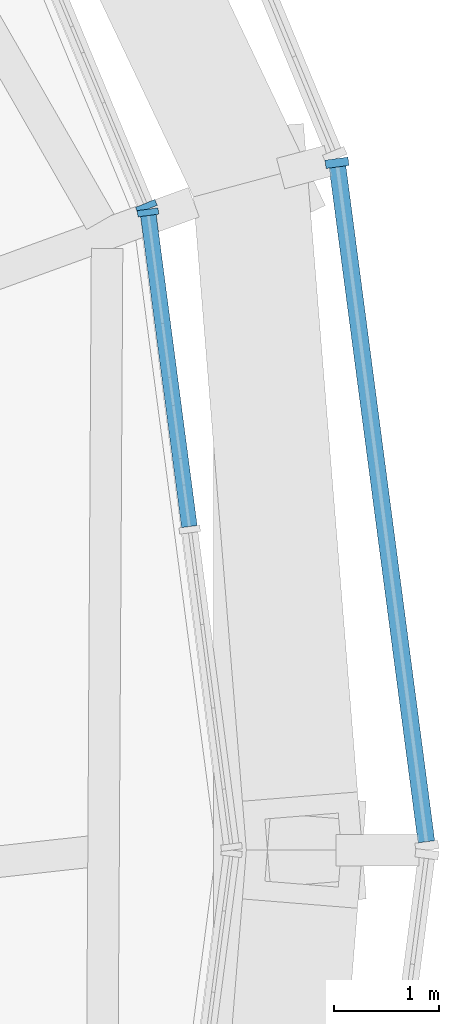
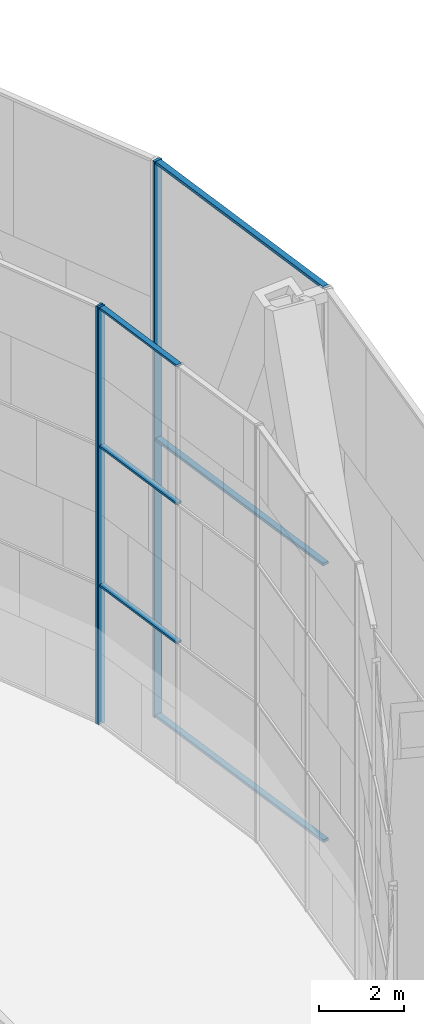
# One storey, part 6 of 26: 9 members, 3 elements without a shape of their own.
"""IFC4 building model written with IfcOpenShell, lengths in metres."""

from ifc_helpers import new_model, si_unit, direction, frame, origin, origin_2d, place, context, subcontext, project, spatial, rectangle, extrude, material, material_profile, profile_set, type_object, element, aggregate, save


model = new_model("IFC4")

# Units and contexts
model_context = context("Model", 3, precision=1e-05, world=origin(), true_north=direction((0.0, 1.0)))
body_context = subcontext(model_context, "Body", "Model", "MODEL_VIEW")
ifc_project = project(units=[si_unit("LENGTHUNIT", "METRE"), si_unit("AREAUNIT", "SQUARE_METRE"), si_unit("VOLUMEUNIT", "CUBIC_METRE"), si_unit("PLANEANGLEUNIT", "RADIAN"), si_unit("MASSUNIT", "GRAM", prefix="KILO")], contexts=[model_context])

# Site, building, storey
site_placement = place(None, origin())
site = spatial("IfcSite", under=ifc_project, at=site_placement, CompositionType="ELEMENT")
building_placement = place(site_placement, origin())
building = spatial("IfcBuilding", under=site, at=building_placement, Name="Golbaran Civic Tower", CompositionType="ELEMENT")
storey_placement = place(building_placement, frame((0.0, 0.0, 199.0)))
storey = spatial("IfcBuildingStorey", under=building, at=storey_placement, Name="L48", CompositionType="ELEMENT", Elevation=199.0)

# Curtain wall, member
ifc_material_1 = material(Name="Aluminium and glass", Category="aluminium")
curtain_wall_type_1 = type_object("IfcCurtainWallType", Name="INNER SKIN CURTAIN WALL EXECUTIVE", PredefinedType="NOTDEFINED", material=ifc_material_1)
curtain_wall_1_placement = place(storey_placement, origin())
curtain_wall_1 = element("IfcCurtainWall", 1, at=curtain_wall_1_placement, inside=storey, type_object=curtain_wall_type_1, Name="Inner skin L48 facet 1 CW2", ObjectType="INNER SKIN", PredefinedType="USERDEFINED")
ifc_material_2 = material(Name="Aluminium", Category="aluminium")
ifc_material_profile_1 = material_profile(ifc_material_2, rectangle(XDim=0.199951171875, YDim=0.06005859375, at=origin_2d()), Name="INNER SKIN CURTAIN WALL EXECUTIVE MULLION")
ifc_profile_set_1 = profile_set([ifc_material_profile_1], Name="Aluminium")
member_type_1 = type_object("IfcMemberType", Name="INNER SKIN CURTAIN WALL EXECUTIVE MULLION", PredefinedType="MULLION", material=ifc_profile_set_1)
member_1_placement = place(storey_placement, frame((22.767822265625, 6.06982421875, 0.0), z_axis=(0.0, 0.0, 1.0), x_axis=(-0.991444861372, -0.130526192237, 0.0)))
member_1 = element("IfcMember", 2, at=member_1_placement, type_object=member_type_1, Name="CW2 mullion 3", PredefinedType="MULLION", context=body_context, shape_type="SweptSolid", body=[
    extrude(rectangle(XDim=0.199951171875, YDim=0.06005859375, at=origin_2d()), origin(), (0.0, 0.0, 1.0), 12.0),
])

curtain_wall_2_placement = place(storey_placement, origin())
curtain_wall_2 = element("IfcCurtainWall", 3, at=curtain_wall_2_placement, inside=storey, type_object=curtain_wall_type_1, Name="Inner skin L48 facet 2 CW2", ObjectType="INNER SKIN", PredefinedType="USERDEFINED")
member_2_placement = place(storey_placement, frame((22.75244140625, 6.127197265625, 0.0), z_axis=(0.0, 0.0, 1.0), x_axis=(-0.923879532518, -0.382683432349, 0.0)))
member_2 = element("IfcMember", 4, at=member_2_placement, type_object=member_type_1, Name="CW2 mullion 1", PredefinedType="MULLION", context=body_context, shape_type="SweptSolid", body=[
    extrude(rectangle(XDim=0.199951171875, YDim=0.06005859375, at=origin_2d()), origin(), (0.0, 0.0, 1.0), 12.0),
])
aggregate(curtain_wall_2, [member_2])

# Member
ifc_material_profile_2 = material_profile(ifc_material_2, rectangle(XDim=0.14990234375, YDim=0.06005859375, at=origin_2d()), Name="INNER SKIN CURTAIN WALL EXECUTIVE TRANSOM")
ifc_profile_set_2 = profile_set([ifc_material_profile_2], Name="Aluminium")
member_type_2 = type_object("IfcMemberType", Name="INNER SKIN CURTAIN WALL EXECUTIVE TRANSOM", PredefinedType="USERDEFINED", material=ifc_profile_set_2)
member_3_placement = place(storey_placement, frame((23.16162109375, 3.07958984375, 4.0), z_axis=(-0.130572951568, 0.991438704267, 0.0), x_axis=(-0.991438704267, -0.130572951568, 0.0)))
member_3 = element("IfcMember", 5, at=member_3_placement, type_object=member_type_2, Name="CW2 transom 2.2", ObjectType="TRANSOM", PredefinedType="USERDEFINED", context=body_context, shape_type="SweptSolid", body=[
    extrude(rectangle(XDim=0.14990234375, YDim=0.06005859375, at=origin_2d()), origin(), (0.0, 0.0, 1.0), 2.986083984375),
])

member_4_placement = place(storey_placement, frame((23.16162109375, 3.07958984375, 8.0), z_axis=(-0.130572951568, 0.991438704267, 0.0), x_axis=(-0.991438704267, -0.130572951568, 0.0)))
member_4 = element("IfcMember", 6, at=member_4_placement, type_object=member_type_2, Name="CW2 transom 2.3", ObjectType="TRANSOM", PredefinedType="USERDEFINED", context=body_context, shape_type="SweptSolid", body=[
    extrude(rectangle(XDim=0.14990234375, YDim=0.06005859375, at=origin_2d()), origin(), (0.0, 0.0, 1.0), 2.986083984375),
])

member_5_placement = place(storey_placement, frame((23.16162109375, 3.07958984375, 11.969970703125), z_axis=(-0.130572951568, 0.991438704267, 0.0), x_axis=(-0.991438704267, -0.130572951568, 0.0)))
member_5 = element("IfcMember", 7, at=member_5_placement, type_object=member_type_2, Name="CW2 transom 2.4", ObjectType="TRANSOM", PredefinedType="USERDEFINED", context=body_context, shape_type="SweptSolid", body=[
    extrude(rectangle(XDim=0.14990234375, YDim=0.06005859375, at=origin_2d()), origin(), (0.0, 0.0, 1.0), 2.986083984375),
])

aggregate(curtain_wall_1, [member_1, member_3, member_4, member_5])

# Curtain wall, members
curtain_wall_type_2 = type_object("IfcCurtainWallType", Name="OUTER SKIN TERRACOTTA SCREEN", PredefinedType="NOTDEFINED", material=ifc_material_1)
curtain_wall_3_placement = place(storey_placement, origin())
curtain_wall_3 = element("IfcCurtainWall", 8, at=curtain_wall_3_placement, inside=storey, type_object=curtain_wall_type_2, Name="Outer skin L48 facet 1 CW3", ObjectType="OUTER SKIN", PredefinedType="USERDEFINED")
ifc_material_profile_3 = material_profile(ifc_material_2, rectangle(XDim=0.219970703125, YDim=0.080078125, at=origin_2d()), Name="OUTER SKIN TERRACOTTA SCREEN MULLION")
ifc_profile_set_3 = profile_set([ifc_material_profile_3], Name="Aluminium")
member_type_3 = type_object("IfcMemberType", Name="OUTER SKIN TERRACOTTA SCREEN MULLION", PredefinedType="MULLION", material=ifc_profile_set_3)
member_6_placement = place(storey_placement, frame((24.56689453125, 6.54150390625, -0.7099609375), z_axis=(0.0, 0.0, 1.0), x_axis=(-0.991444861376, -0.130526192203, 0.0)))
member_6 = element("IfcMember", 9, at=member_6_placement, type_object=member_type_3, Name="CW3 mullion 2", PredefinedType="MULLION", context=body_context, shape_type="SweptSolid", body=[
    extrude(rectangle(XDim=0.219970703125, YDim=0.080078125, at=origin_2d()), origin(), (0.0, 0.0, 1.0), 16.0),
])
ifc_material_profile_4 = material_profile(ifc_material_2, rectangle(XDim=0.159912109375, YDim=0.080078125, at=origin_2d()), Name="OUTER SKIN TERRACOTTA SCREEN TRANSOM")
ifc_profile_set_4 = profile_set([ifc_material_profile_4], Name="Aluminium")
member_type_4 = type_object("IfcMemberType", Name="OUTER SKIN TERRACOTTA SCREEN TRANSOM", PredefinedType="USERDEFINED", material=ifc_profile_set_4)
member_7_placement = place(storey_placement, frame((25.41748046875, 0.079345703125, -0.669921875), z_axis=(-0.130512031424, 0.991446725575, 0.0), x_axis=(-0.991446725575, -0.130512031424, 0.0)))
member_7 = element("IfcMember", 10, at=member_7_placement, type_object=member_type_4, Name="CW3 transom 1.1", ObjectType="TRANSOM", PredefinedType="USERDEFINED", context=body_context, shape_type="SweptSolid", body=[
    extrude(rectangle(XDim=0.159912109375, YDim=0.080078125, at=origin_2d()), origin(), (0.0, 0.0, 1.0), 6.47802734375),
])
member_8_placement = place(storey_placement, frame((25.41748046875, 0.079345703125, 7.2900390625), z_axis=(-0.130512031424, 0.991446725575, 0.0), x_axis=(-0.991446725575, -0.130512031424, 0.0)))
member_8 = element("IfcMember", 11, at=member_8_placement, type_object=member_type_4, Name="CW3 transom 1.2", ObjectType="TRANSOM", PredefinedType="USERDEFINED", context=body_context, shape_type="SweptSolid", body=[
    extrude(rectangle(XDim=0.159912109375, YDim=0.080078125, at=origin_2d()), origin(), (0.0, 0.0, 1.0), 6.47802734375),
])
member_9_placement = place(storey_placement, frame((25.41748046875, 0.079345703125, 15.25), z_axis=(-0.130512031424, 0.991446725575, 0.0), x_axis=(-0.991446725575, -0.130512031424, 0.0)))
member_9 = element("IfcMember", 12, at=member_9_placement, type_object=member_type_4, Name="CW3 transom 1.3", ObjectType="TRANSOM", PredefinedType="USERDEFINED", context=body_context, shape_type="SweptSolid", body=[
    extrude(rectangle(XDim=0.159912109375, YDim=0.080078125, at=origin_2d()), origin(), (0.0, 0.0, 1.0), 6.47802734375),
])
aggregate(curtain_wall_3, [member_6, member_7, member_8, member_9])

save(model, "model.ifc")
